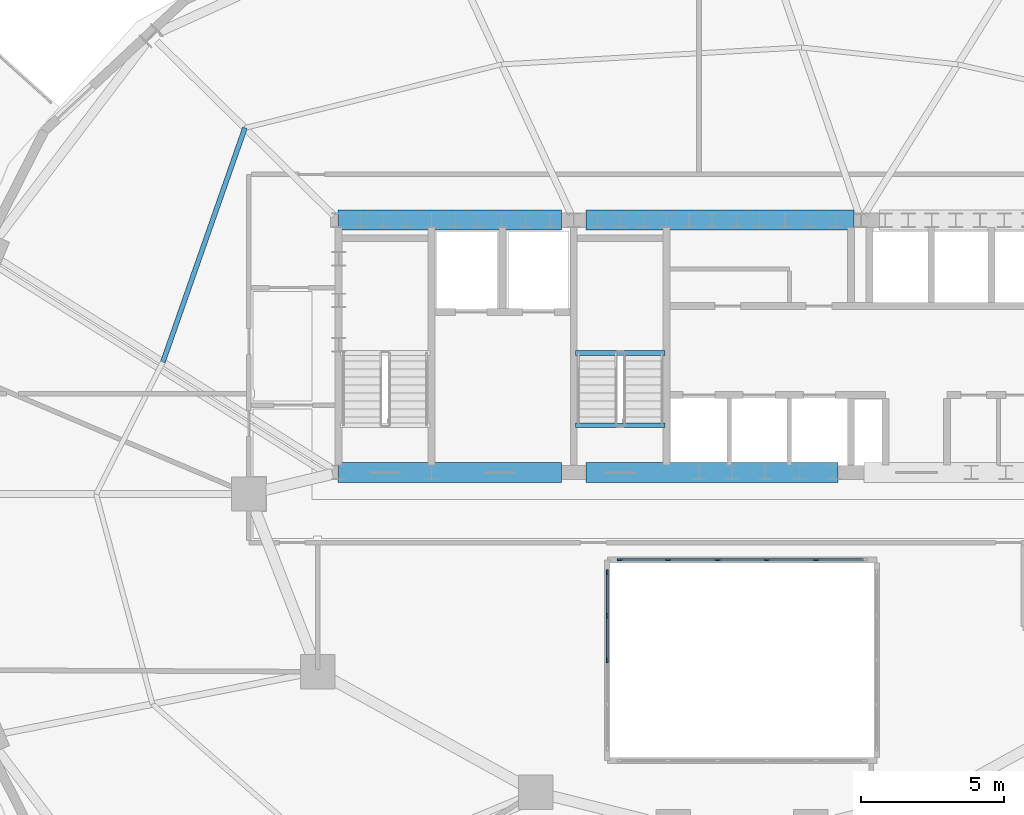
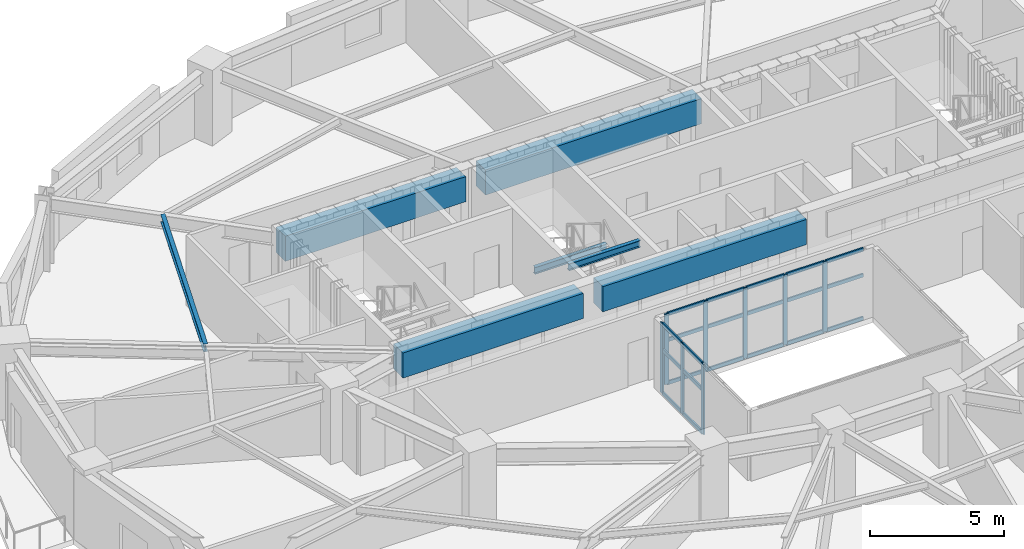
# One storey, part 3 of 12: 29 members, 7 beams, 2 elements without a shape of their own.
"""IFC4 building model written with IfcOpenShell, lengths in metres."""

from ifc_helpers import new_model, si_unit, direction, frame, origin, origin_2d, place, context, subcontext, project, spatial, rectangle, i_section, extrude, material, material_profile, profile_set, type_object, element, aggregate, save


model = new_model("IFC4")

# Units and contexts
model_context = context("Model", 3, precision=1e-05, world=origin(), true_north=direction((0.0, 1.0)))
body_context = subcontext(model_context, "Body", "Model", "MODEL_VIEW")
ifc_project = project(units=[si_unit("LENGTHUNIT", "METRE"), si_unit("AREAUNIT", "SQUARE_METRE"), si_unit("VOLUMEUNIT", "CUBIC_METRE"), si_unit("PLANEANGLEUNIT", "RADIAN"), si_unit("MASSUNIT", "GRAM", prefix="KILO")], contexts=[model_context])

# Site, building, storey
site_placement = place(None, origin())
site = spatial("IfcSite", under=ifc_project, at=site_placement, CompositionType="ELEMENT")
building_placement = place(site_placement, origin())
building = spatial("IfcBuilding", under=site, at=building_placement, Name="Haldorwick Loom Tower", CompositionType="ELEMENT")
storey_placement = place(building_placement, frame((0.0, 0.0, 113.89990234375)))
storey = spatial("IfcBuildingStorey", under=building, at=storey_placement, Name="L30", CompositionType="ELEMENT", Elevation=113.89990234375)

# Curtain wall, members
ifc_material_1 = material(Name="Thermally Broken Anodized Aluminium Curtain Wall Framing", Category="aluminium")
curtain_wall_type = type_object("IfcCurtainWallType", Name="ARC-CW-03", PredefinedType="NOTDEFINED", material=ifc_material_1)
curtain_wall_1_placement = place(storey_placement, origin())
curtain_wall_1 = element("IfcCurtainWall", 1, at=curtain_wall_1_placement, inside=storey, type_object=curtain_wall_type, Name="L30 Atrium Glazed Screen N", PredefinedType="NOTDEFINED")
ifc_material_profile_1 = material_profile(ifc_material_1, rectangle(XDim=0.06591796875, YDim=0.18505859375, at=origin_2d()), Name="ALU_MUL_66X185", Category="aluminium")
ifc_profile_set_1 = profile_set([ifc_material_profile_1], Name="Thermally Broken Anodized Aluminium Curtain Wall Framing")
member_type_1 = type_object("IfcMemberType", Name="ARC-CWM-03", PredefinedType="MULLION", material=ifc_profile_set_1)
member_1_placement = place(storey_placement, frame((31.73291015625, 23.699951171875, 0.0), z_axis=(0.0, 0.0, 1.0), x_axis=(0.0, 1.0, 0.0)))
member_1 = element("IfcMember", 2, at=member_1_placement, type_object=member_type_1, Name="CW-03 mullion 1", PredefinedType="MULLION", context=body_context, shape_type="SweptSolid", body=[
    extrude(rectangle(XDim=0.06591796875, YDim=0.18505859375, at=origin_2d()), origin(), (0.0, 0.0, 1.0), 3.210205078125),
])
member_2_placement = place(storey_placement, frame((33.419921875, 23.699951171875, 0.0), z_axis=(0.0, 0.0, 1.0), x_axis=(0.0, 1.0, 0.0)))
member_2 = element("IfcMember", 3, at=member_2_placement, type_object=member_type_1, Name="CW-03 mullion 2", PredefinedType="MULLION", context=body_context, shape_type="SweptSolid", body=[
    extrude(rectangle(XDim=0.06591796875, YDim=0.18505859375, at=origin_2d()), origin(), (0.0, 0.0, 1.0), 3.210205078125),
])
member_3_placement = place(storey_placement, frame((35.139892578125, 23.699951171875, 0.0), z_axis=(0.0, 0.0, 1.0), x_axis=(0.0, 1.0, 0.0)))
member_3 = element("IfcMember", 4, at=member_3_placement, type_object=member_type_1, Name="CW-03 mullion 3", PredefinedType="MULLION", context=body_context, shape_type="SweptSolid", body=[
    extrude(rectangle(XDim=0.06591796875, YDim=0.18505859375, at=origin_2d()), origin(), (0.0, 0.0, 1.0), 3.210205078125),
])
member_4_placement = place(storey_placement, frame((36.860107421875, 23.699951171875, 0.0), z_axis=(0.0, 0.0, 1.0), x_axis=(0.0, 1.0, 0.0)))
member_4 = element("IfcMember", 5, at=member_4_placement, type_object=member_type_1, Name="CW-03 mullion 4", PredefinedType="MULLION", context=body_context, shape_type="SweptSolid", body=[
    extrude(rectangle(XDim=0.06591796875, YDim=0.18505859375, at=origin_2d()), origin(), (0.0, 0.0, 1.0), 3.210205078125),
])
member_5_placement = place(storey_placement, frame((38.580078125, 23.699951171875, 0.0), z_axis=(0.0, 0.0, 1.0), x_axis=(0.0, 1.0, 0.0)))
member_5 = element("IfcMember", 6, at=member_5_placement, type_object=member_type_1, Name="CW-03 mullion 5", PredefinedType="MULLION", context=body_context, shape_type="SweptSolid", body=[
    extrude(rectangle(XDim=0.06591796875, YDim=0.18505859375, at=origin_2d()), origin(), (0.0, 0.0, 1.0), 3.210205078125),
])

curtain_wall_2_placement = place(storey_placement, origin())
curtain_wall_2 = element("IfcCurtainWall", 7, at=curtain_wall_2_placement, inside=storey, type_object=curtain_wall_type, Name="L30 Atrium Glazed Screen W", PredefinedType="NOTDEFINED")
member_6_placement = place(storey_placement, frame((31.300048828125, 20.199951171875, 0.0), z_axis=(0.0, 0.0, 1.0), x_axis=(-1.0, 0.0, 0.0)))
member_6 = element("IfcMember", 8, at=member_6_placement, type_object=member_type_1, Name="CW-03 mullion 3", PredefinedType="MULLION", context=body_context, shape_type="SweptSolid", body=[
    extrude(rectangle(XDim=0.06591796875, YDim=0.18505859375, at=origin_2d()), origin(), (0.0, 0.0, 1.0), 3.210205078125),
])
member_7_placement = place(storey_placement, frame((31.300048828125, 21.75, 0.0), z_axis=(0.0, 0.0, 1.0), x_axis=(-1.0, 0.0, 0.0)))
member_7 = element("IfcMember", 9, at=member_7_placement, type_object=member_type_1, Name="CW-03 mullion 4", PredefinedType="MULLION", context=body_context, shape_type="SweptSolid", body=[
    extrude(rectangle(XDim=0.06591796875, YDim=0.18505859375, at=origin_2d()), origin(), (0.0, 0.0, 1.0), 3.210205078125),
])
member_8_placement = place(storey_placement, frame((31.300048828125, 23.26708984375, 0.0), z_axis=(0.0, 0.0, 1.0), x_axis=(-1.0, 0.0, 0.0)))
member_8 = element("IfcMember", 10, at=member_8_placement, type_object=member_type_1, Name="CW-03 mullion 5", PredefinedType="MULLION", context=body_context, shape_type="SweptSolid", body=[
    extrude(rectangle(XDim=0.06591796875, YDim=0.18505859375, at=origin_2d()), origin(), (0.0, 0.0, 1.0), 3.210205078125),
])

# Member
ifc_material_profile_2 = material_profile(ifc_material_1, rectangle(XDim=0.06591796875, YDim=0.1650390625, at=origin_2d()), Name="ALU_TRN_66X165", Category="aluminium")
ifc_profile_set_2 = profile_set([ifc_material_profile_2], Name="Thermally Broken Anodized Aluminium Curtain Wall Framing")
member_type_2 = type_object("IfcMemberType", Name="ARC-CWT-03", PredefinedType="USERDEFINED", material=ifc_profile_set_2)
member_9_placement = place(storey_placement, frame((31.76611328125, 23.699951171875, 0.033203125), z_axis=(1.0, 0.0, 0.0), x_axis=(0.0, 1.0, 0.0)))
member_9 = element("IfcMember", 11, at=member_9_placement, type_object=member_type_2, Name="CW-03 transom 1.1", ObjectType="TRANSOM", PredefinedType="USERDEFINED", context=body_context, shape_type="SweptSolid", body=[
    extrude(rectangle(XDim=0.06591796875, YDim=0.1650390625, at=origin_2d()), origin(), (0.0, 0.0, 1.0), 1.620849609375),
])

member_10_placement = place(storey_placement, frame((31.76611328125, 23.699951171875, 2.0), z_axis=(1.0, 0.0, 0.0), x_axis=(0.0, 1.0, 0.0)))
member_10 = element("IfcMember", 12, at=member_10_placement, type_object=member_type_2, Name="CW-03 transom 1.2", ObjectType="TRANSOM", PredefinedType="USERDEFINED", context=body_context, shape_type="SweptSolid", body=[
    extrude(rectangle(XDim=0.06591796875, YDim=0.1650390625, at=origin_2d()), origin(), (0.0, 0.0, 1.0), 1.620849609375),
])

member_11_placement = place(storey_placement, frame((31.76611328125, 23.699951171875, 3.177001953125), z_axis=(1.0, 0.0, 0.0), x_axis=(0.0, 1.0, 0.0)))
member_11 = element("IfcMember", 13, at=member_11_placement, type_object=member_type_2, Name="CW-03 transom 1.3", ObjectType="TRANSOM", PredefinedType="USERDEFINED", context=body_context, shape_type="SweptSolid", body=[
    extrude(rectangle(XDim=0.06591796875, YDim=0.1650390625, at=origin_2d()), origin(), (0.0, 0.0, 1.0), 1.620849609375),
])

member_12_placement = place(storey_placement, frame((33.452880859375, 23.699951171875, 0.033203125), z_axis=(1.0, 0.0, 0.0), x_axis=(0.0, 1.0, 0.0)))
member_12 = element("IfcMember", 14, at=member_12_placement, type_object=member_type_2, Name="CW-03 transom 2.1", ObjectType="TRANSOM", PredefinedType="USERDEFINED", context=body_context, shape_type="SweptSolid", body=[
    extrude(rectangle(XDim=0.06591796875, YDim=0.1650390625, at=origin_2d()), origin(), (0.0, 0.0, 1.0), 1.654052734375),
])

member_13_placement = place(storey_placement, frame((33.452880859375, 23.699951171875, 2.0), z_axis=(1.0, 0.0, 0.0), x_axis=(0.0, 1.0, 0.0)))
member_13 = element("IfcMember", 15, at=member_13_placement, type_object=member_type_2, Name="CW-03 transom 2.2", ObjectType="TRANSOM", PredefinedType="USERDEFINED", context=body_context, shape_type="SweptSolid", body=[
    extrude(rectangle(XDim=0.06591796875, YDim=0.1650390625, at=origin_2d()), origin(), (0.0, 0.0, 1.0), 1.654052734375),
])

member_14_placement = place(storey_placement, frame((33.452880859375, 23.699951171875, 3.177001953125), z_axis=(1.0, 0.0, 0.0), x_axis=(0.0, 1.0, 0.0)))
member_14 = element("IfcMember", 16, at=member_14_placement, type_object=member_type_2, Name="CW-03 transom 2.3", ObjectType="TRANSOM", PredefinedType="USERDEFINED", context=body_context, shape_type="SweptSolid", body=[
    extrude(rectangle(XDim=0.06591796875, YDim=0.1650390625, at=origin_2d()), origin(), (0.0, 0.0, 1.0), 1.654052734375),
])

member_15_placement = place(storey_placement, frame((35.173095703125, 23.699951171875, 0.033203125), z_axis=(1.0, 0.0, 0.0), x_axis=(0.0, 1.0, 0.0)))
member_15 = element("IfcMember", 17, at=member_15_placement, type_object=member_type_2, Name="CW-03 transom 3.1", ObjectType="TRANSOM", PredefinedType="USERDEFINED", context=body_context, shape_type="SweptSolid", body=[
    extrude(rectangle(XDim=0.06591796875, YDim=0.1650390625, at=origin_2d()), origin(), (0.0, 0.0, 1.0), 1.65380859375),
])

member_16_placement = place(storey_placement, frame((35.173095703125, 23.699951171875, 2.0), z_axis=(1.0, 0.0, 0.0), x_axis=(0.0, 1.0, 0.0)))
member_16 = element("IfcMember", 18, at=member_16_placement, type_object=member_type_2, Name="CW-03 transom 3.2", ObjectType="TRANSOM", PredefinedType="USERDEFINED", context=body_context, shape_type="SweptSolid", body=[
    extrude(rectangle(XDim=0.06591796875, YDim=0.1650390625, at=origin_2d()), origin(), (0.0, 0.0, 1.0), 1.65380859375),
])

member_17_placement = place(storey_placement, frame((35.173095703125, 23.699951171875, 3.177001953125), z_axis=(1.0, 0.0, 0.0), x_axis=(0.0, 1.0, 0.0)))
member_17 = element("IfcMember", 19, at=member_17_placement, type_object=member_type_2, Name="CW-03 transom 3.3", ObjectType="TRANSOM", PredefinedType="USERDEFINED", context=body_context, shape_type="SweptSolid", body=[
    extrude(rectangle(XDim=0.06591796875, YDim=0.1650390625, at=origin_2d()), origin(), (0.0, 0.0, 1.0), 1.65380859375),
])

member_18_placement = place(storey_placement, frame((36.89306640625, 23.699951171875, 0.033203125), z_axis=(1.0, 0.0, 0.0), x_axis=(0.0, 1.0, 0.0)))
member_18 = element("IfcMember", 20, at=member_18_placement, type_object=member_type_2, Name="CW-03 transom 4.1", ObjectType="TRANSOM", PredefinedType="USERDEFINED", context=body_context, shape_type="SweptSolid", body=[
    extrude(rectangle(XDim=0.06591796875, YDim=0.1650390625, at=origin_2d()), origin(), (0.0, 0.0, 1.0), 1.654052734375),
])

member_19_placement = place(storey_placement, frame((36.89306640625, 23.699951171875, 2.0), z_axis=(1.0, 0.0, 0.0), x_axis=(0.0, 1.0, 0.0)))
member_19 = element("IfcMember", 21, at=member_19_placement, type_object=member_type_2, Name="CW-03 transom 4.2", ObjectType="TRANSOM", PredefinedType="USERDEFINED", context=body_context, shape_type="SweptSolid", body=[
    extrude(rectangle(XDim=0.06591796875, YDim=0.1650390625, at=origin_2d()), origin(), (0.0, 0.0, 1.0), 1.654052734375),
])

member_20_placement = place(storey_placement, frame((36.89306640625, 23.699951171875, 3.177001953125), z_axis=(1.0, 0.0, 0.0), x_axis=(0.0, 1.0, 0.0)))
member_20 = element("IfcMember", 22, at=member_20_placement, type_object=member_type_2, Name="CW-03 transom 4.3", ObjectType="TRANSOM", PredefinedType="USERDEFINED", context=body_context, shape_type="SweptSolid", body=[
    extrude(rectangle(XDim=0.06591796875, YDim=0.1650390625, at=origin_2d()), origin(), (0.0, 0.0, 1.0), 1.654052734375),
])

member_21_placement = place(storey_placement, frame((38.613037109375, 23.699951171875, 0.033203125), z_axis=(1.0, 0.0, 0.0), x_axis=(0.0, 1.0, 0.0)))
member_21 = element("IfcMember", 23, at=member_21_placement, type_object=member_type_2, Name="CW-03 transom 5.1", ObjectType="TRANSOM", PredefinedType="USERDEFINED", context=body_context, shape_type="SweptSolid", body=[
    extrude(rectangle(XDim=0.06591796875, YDim=0.1650390625, at=origin_2d()), origin(), (0.0, 0.0, 1.0), 1.620849609375),
])

member_22_placement = place(storey_placement, frame((38.613037109375, 23.699951171875, 2.0), z_axis=(1.0, 0.0, 0.0), x_axis=(0.0, 1.0, 0.0)))
member_22 = element("IfcMember", 24, at=member_22_placement, type_object=member_type_2, Name="CW-03 transom 5.2", ObjectType="TRANSOM", PredefinedType="USERDEFINED", context=body_context, shape_type="SweptSolid", body=[
    extrude(rectangle(XDim=0.06591796875, YDim=0.1650390625, at=origin_2d()), origin(), (0.0, 0.0, 1.0), 1.620849609375),
])

member_23_placement = place(storey_placement, frame((38.613037109375, 23.699951171875, 3.177001953125), z_axis=(1.0, 0.0, 0.0), x_axis=(0.0, 1.0, 0.0)))
member_23 = element("IfcMember", 25, at=member_23_placement, type_object=member_type_2, Name="CW-03 transom 5.3", ObjectType="TRANSOM", PredefinedType="USERDEFINED", context=body_context, shape_type="SweptSolid", body=[
    extrude(rectangle(XDim=0.06591796875, YDim=0.1650390625, at=origin_2d()), origin(), (0.0, 0.0, 1.0), 1.620849609375),
])

aggregate(curtain_wall_1, [member_1, member_2, member_3, member_4, member_5, member_9, member_10, member_11, member_12, member_13, member_14, member_15, member_16, member_17, member_18, member_19, member_20, member_21, member_22, member_23])

member_24_placement = place(storey_placement, frame((31.300048828125, 20.23291015625, 0.033203125), z_axis=(0.0, 1.0, 0.0), x_axis=(-1.0, 0.0, 0.0)))
member_24 = element("IfcMember", 26, at=member_24_placement, type_object=member_type_2, Name="CW-03 transom 3.1", ObjectType="TRANSOM", PredefinedType="USERDEFINED", context=body_context, shape_type="SweptSolid", body=[
    extrude(rectangle(XDim=0.06591796875, YDim=0.1650390625, at=origin_2d()), origin(), (0.0, 0.0, 1.0), 1.484130859375),
])

member_25_placement = place(storey_placement, frame((31.300048828125, 20.23291015625, 2.0), z_axis=(0.0, 1.0, 0.0), x_axis=(-1.0, 0.0, 0.0)))
member_25 = element("IfcMember", 27, at=member_25_placement, type_object=member_type_2, Name="CW-03 transom 3.2", ObjectType="TRANSOM", PredefinedType="USERDEFINED", context=body_context, shape_type="SweptSolid", body=[
    extrude(rectangle(XDim=0.06591796875, YDim=0.1650390625, at=origin_2d()), origin(), (0.0, 0.0, 1.0), 1.484130859375),
])

member_26_placement = place(storey_placement, frame((31.300048828125, 20.23291015625, 3.177001953125), z_axis=(0.0, 1.0, 0.0), x_axis=(-1.0, 0.0, 0.0)))
member_26 = element("IfcMember", 28, at=member_26_placement, type_object=member_type_2, Name="CW-03 transom 3.3", ObjectType="TRANSOM", PredefinedType="USERDEFINED", context=body_context, shape_type="SweptSolid", body=[
    extrude(rectangle(XDim=0.06591796875, YDim=0.1650390625, at=origin_2d()), origin(), (0.0, 0.0, 1.0), 1.484130859375),
])

member_27_placement = place(storey_placement, frame((31.300048828125, 21.782958984375, 0.033203125), z_axis=(0.0, 1.0, 0.0), x_axis=(-1.0, 0.0, 0.0)))
member_27 = element("IfcMember", 29, at=member_27_placement, type_object=member_type_2, Name="CW-03 transom 4.1", ObjectType="TRANSOM", PredefinedType="USERDEFINED", context=body_context, shape_type="SweptSolid", body=[
    extrude(rectangle(XDim=0.06591796875, YDim=0.1650390625, at=origin_2d()), origin(), (0.0, 0.0, 1.0), 1.450927734375),
])

member_28_placement = place(storey_placement, frame((31.300048828125, 21.782958984375, 2.0), z_axis=(0.0, 1.0, 0.0), x_axis=(-1.0, 0.0, 0.0)))
member_28 = element("IfcMember", 30, at=member_28_placement, type_object=member_type_2, Name="CW-03 transom 4.2", ObjectType="TRANSOM", PredefinedType="USERDEFINED", context=body_context, shape_type="SweptSolid", body=[
    extrude(rectangle(XDim=0.06591796875, YDim=0.1650390625, at=origin_2d()), origin(), (0.0, 0.0, 1.0), 1.450927734375),
])

member_29_placement = place(storey_placement, frame((31.300048828125, 21.782958984375, 3.177001953125), z_axis=(0.0, 1.0, 0.0), x_axis=(-1.0, 0.0, 0.0)))
member_29 = element("IfcMember", 31, at=member_29_placement, type_object=member_type_2, Name="CW-03 transom 4.3", ObjectType="TRANSOM", PredefinedType="USERDEFINED", context=body_context, shape_type="SweptSolid", body=[
    extrude(rectangle(XDim=0.06591796875, YDim=0.1650390625, at=origin_2d()), origin(), (0.0, 0.0, 1.0), 1.450927734375),
])

aggregate(curtain_wall_2, [member_6, member_7, member_8, member_24, member_25, member_26, member_27, member_28, member_29])

# Beams
ifc_material_2 = material(Name="Concrete C60 (60 MPa)", Category="concrete")
ifc_material_profile_3 = material_profile(ifc_material_2, rectangle(XDim=0.699951171875, YDim=1.14990234375, at=origin_2d()), Name="RC700X1150", Category="concrete")
ifc_profile_set_3 = profile_set([ifc_material_profile_3], Name="Concrete C60 (60 MPa)")
beam_type_1 = type_object("IfcBeamType", Name="STR-BM-CB1150", PredefinedType="LINTEL", material=ifc_profile_set_3)
beam_1_placement = place(storey_placement, frame((21.89990234375, 35.550048828125, 2.635009765625), z_axis=(1.0, 0.0, 0.0), x_axis=(0.0, 1.0, 0.0)))
element("IfcBeam", 32, at=beam_1_placement, inside=storey, type_object=beam_type_1, Name="L30 Core Coupling Beam CB-N1", PredefinedType="LINTEL", context=body_context, shape_type="SweptSolid", body=[
    extrude(rectangle(XDim=0.699951171875, YDim=1.14990234375, at=origin_2d()), origin(), (0.0, 0.0, 1.0), 7.800048828125),
])
beam_2_placement = place(storey_placement, frame((30.550048828125, 35.550048828125, 2.635009765625), z_axis=(1.0, 0.0, 0.0), x_axis=(0.0, 1.0, 0.0)))
element("IfcBeam", 33, at=beam_2_placement, inside=storey, type_object=beam_type_1, Name="L30 Core Coupling Beam CB-N2", PredefinedType="LINTEL", context=body_context, shape_type="SweptSolid", body=[
    extrude(rectangle(XDim=0.699951171875, YDim=1.14990234375, at=origin_2d()), origin(), (0.0, 0.0, 1.0), 9.349853515625),
])
beam_3_placement = place(storey_placement, frame((21.89990234375, 26.75, 2.635009765625), z_axis=(1.0, 0.0, 0.0), x_axis=(0.0, 1.0, 0.0)))
element("IfcBeam", 34, at=beam_3_placement, inside=storey, type_object=beam_type_1, Name="L30 Core Coupling Beam CB-S1", PredefinedType="LINTEL", context=body_context, shape_type="SweptSolid", body=[
    extrude(rectangle(XDim=0.699951171875, YDim=1.14990234375, at=origin_2d()), origin(), (0.0, 0.0, 1.0), 7.800048828125),
])
beam_4_placement = place(storey_placement, frame((30.550048828125, 26.75, 2.635009765625), z_axis=(1.0, 0.0, 0.0), x_axis=(0.0, 1.0, 0.0)))
element("IfcBeam", 35, at=beam_4_placement, inside=storey, type_object=beam_type_1, Name="L30 Core Coupling Beam CB-S2", PredefinedType="LINTEL", context=body_context, shape_type="SweptSolid", body=[
    extrude(rectangle(XDim=0.699951171875, YDim=1.14990234375, at=origin_2d()), origin(), (0.0, 0.0, 1.0), 8.800048828125),
])
ifc_material_3 = material(Name="Steel CSA G40.21 350W", Category="steel")
ifc_material_profile_4 = material_profile(ifc_material_3, i_section(OverallWidth=0.172119140625, OverallDepth=0.35791015625, WebThickness=0.0078125, FlangeThickness=0.01318359375, at=origin_2d()), Name="W360X57", Category="steel")
ifc_profile_set_4 = profile_set([ifc_material_profile_4], Name="Steel CSA G40.21 350W")
beam_type_2 = type_object("IfcBeamType", Name="STR-BM-J360", PredefinedType="JOIST", material=ifc_profile_set_4)
beam_5_placement = place(storey_placement, frame((18.66162109375, 38.765869140625, 3.031005859375), z_axis=(-0.330864603503, -0.943678236556, 0.0), x_axis=(0.943678236556, -0.330864603503, 0.0)))
element("IfcBeam", 36, at=beam_5_placement, inside=storey, type_object=beam_type_2, Name="L30 Mid-Bay Secondary Joist 7", PredefinedType="JOIST", context=body_context, shape_type="SweptSolid", body=[
    extrude(i_section(OverallWidth=0.172119140625, OverallDepth=0.35791015625, WebThickness=0.0078125, FlangeThickness=0.01318359375, at=origin_2d()), origin(), (0.0, 0.0, 1.0), 8.6494140625),
])
ifc_material_profile_5 = material_profile(ifc_material_3, i_section(OverallWidth=0.166015625, OverallDepth=0.31298828125, WebThickness=0.006591796875, FlangeThickness=0.01123046875, at=origin_2d()), Name="W310X45", Category="steel")
ifc_profile_set_5 = profile_set([ifc_material_profile_5], Name="Steel CSA G40.21 350W")
beam_type_3 = type_object("IfcBeamType", Name="STR-BM-STRM", PredefinedType="BEAM", material=ifc_profile_set_5)
for number, where, z_axis, x_axis, name in (
    (37, (30.18994140625, 28.39990234375, 3.0537109375), (1.0, 0.0, 0.0), (0.0, 1.0, 0.0), "L30 Stair ST-03 Landing Edge Trimmer"),
    (38, (30.18994140625, 30.919921875, 1.36865234375), (1.0, 0.0, 0.0), (0.0, 1.0, 0.0), "L30 Stair ST-03 Half-Landing Trimmer 1"),
):
    element("IfcBeam", number, at=place(storey_placement, frame(where, z_axis=z_axis, x_axis=x_axis)), inside=storey, type_object=beam_type_3, Name=name, PredefinedType="BEAM", context=body_context, shape_type="SweptSolid", body=[
        extrude(i_section(OverallWidth=0.166015625, OverallDepth=0.31298828125, WebThickness=0.006591796875, FlangeThickness=0.01123046875, at=origin_2d()), origin(), (0.0, 0.0, 1.0), 3.1201171875),
    ])

save(model, "model.ifc")
